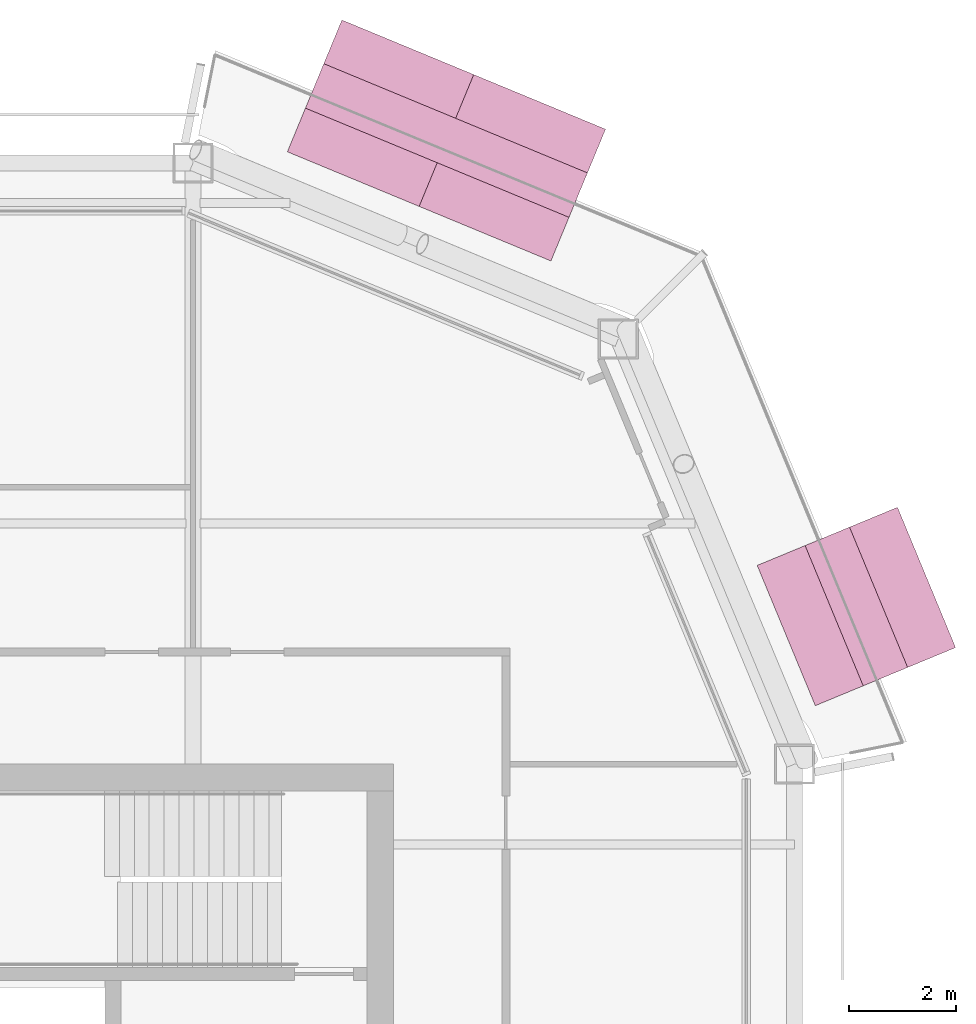
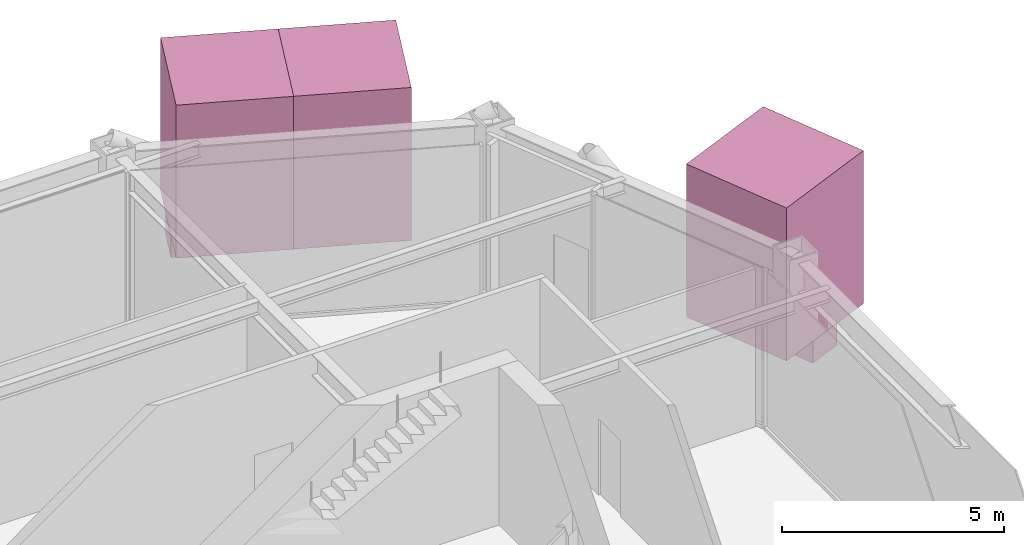
# One storey, part 20 of 20: 5 furnishings.
"""IFC4 building model written with IfcOpenShell, lengths in metres."""

from ifc_helpers import new_model, si_unit, direction, frame, origin, origin_2d, place, context, subcontext, project, spatial, rectangle, extrude, material, type_object, element, save


model = new_model("IFC4")

# Units and contexts
model_context = context("Model", 3, precision=1e-05, world=origin(), true_north=direction((0.0, 1.0)))
body_context = subcontext(model_context, "Body", "Model", "MODEL_VIEW")
ifc_project = project(units=[si_unit("LENGTHUNIT", "METRE"), si_unit("AREAUNIT", "SQUARE_METRE"), si_unit("VOLUMEUNIT", "CUBIC_METRE"), si_unit("PLANEANGLEUNIT", "RADIAN"), si_unit("MASSUNIT", "GRAM", prefix="KILO")], contexts=[model_context])

# Site, building, storey
site_placement = place(None, origin())
site = spatial("IfcSite", under=ifc_project, at=site_placement, CompositionType="ELEMENT")
building_placement = place(site_placement, origin())
building = spatial("IfcBuilding", under=site, at=building_placement, Name="Siwar Civic Tower", CompositionType="ELEMENT")
storey_placement = place(building_placement, frame((0.0, 0.0, 307.699951171875)))
storey = spatial("IfcBuildingStorey", under=building, at=storey_placement, Name="L66", CompositionType="ELEMENT", Elevation=307.699951171875)

# Furnishings
ifc_material_1 = material(Name="Planting soil and foliage")
furnishing_element_type_1 = type_object("IfcFurnishingElementType", Name="ENV-PLANTER", material=ifc_material_1)
furnishing_1_placement = place(storey_placement, frame((25.909423828125, 16.449951171875, 0.0), z_axis=(0.0, 0.0, 1.0), x_axis=(-0.382683432365, 0.923879532511, 0.0)))
element("IfcFurnishingElement", 1, at=furnishing_1_placement, inside=storey, type_object=furnishing_element_type_1, Name="PLANTER NE 1", context=body_context, shape_type="SweptSolid", body=[
    extrude(rectangle(XDim=2.84130859375, YDim=0.89990234375, at=origin_2d()), origin(), (0.0, 0.0, 1.0), 0.60009765625),
])
furnishing_2_placement = place(storey_placement, frame((18.23974609375, 25.16796875, 0.0), z_axis=(0.0, 0.0, 1.0), x_axis=(-0.923879532511, 0.382683432365, 0.0)))
element("IfcFurnishingElement", 2, at=furnishing_2_placement, inside=storey, type_object=furnishing_element_type_1, Name="PLANTER NE 2", context=body_context, shape_type="SweptSolid", body=[
    extrude(rectangle(XDim=5.33837890625, YDim=0.89990234375, at=origin_2d()), origin(), (0.0, 0.0, 1.0), 0.60009765625),
])
ifc_material_2 = material(Name="Planting soil and foliage")
furnishing_element_type_2 = type_object("IfcFurnishingElementType", Name="ENV-TREE", material=ifc_material_2)
furnishing_3_placement = place(storey_placement, frame((25.909423828125, 16.449951171875, 0.60009765625), z_axis=(0.0, 0.0, 1.0), x_axis=(-0.382683432365, 0.923879532511, 0.0)))
element("IfcFurnishingElement", 3, at=furnishing_3_placement, inside=storey, type_object=furnishing_element_type_2, Name="PLANTER (TREE) NE 1.1", context=body_context, shape_type="SweptSolid", body=[
    extrude(rectangle(XDim=2.84130859375, YDim=2.84130859375, at=origin_2d()), origin(), (0.0, 0.0, 1.0), 4.199951171875),
])
for number, where, z_axis, x_axis, name in (
    (4, (19.472900390625, 24.6572265625, 0.60009765625), (0.0, 0.0, 1.0), (-0.923879532511, 0.382683432365, 0.0), "PLANTER (TREE) NE 2.1"),
    (5, (17.0068359375, 25.6787109375, 0.60009765625), (0.0, 0.0, 1.0), (-0.923879532511, 0.382683432365, 0.0), "PLANTER (TREE) NE 2.2"),
):
    element("IfcFurnishingElement", number, at=place(storey_placement, frame(where, z_axis=z_axis, x_axis=x_axis)), inside=storey, type_object=furnishing_element_type_2, Name=name, context=body_context, shape_type="SweptSolid", body=[
        extrude(rectangle(XDim=2.669189453125, YDim=2.669189453125, at=origin_2d()), origin(), (0.0, 0.0, 1.0), 4.199951171875),
    ])

save(model, "model.ifc")
